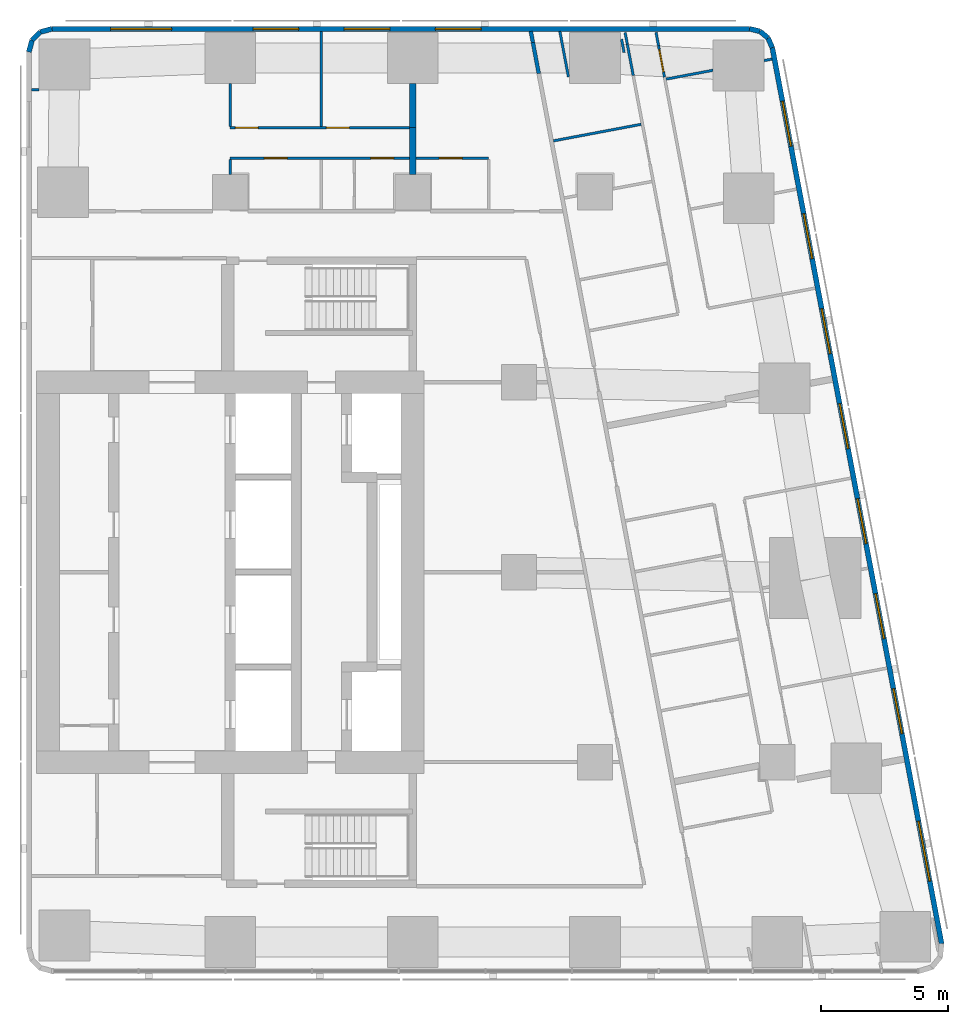
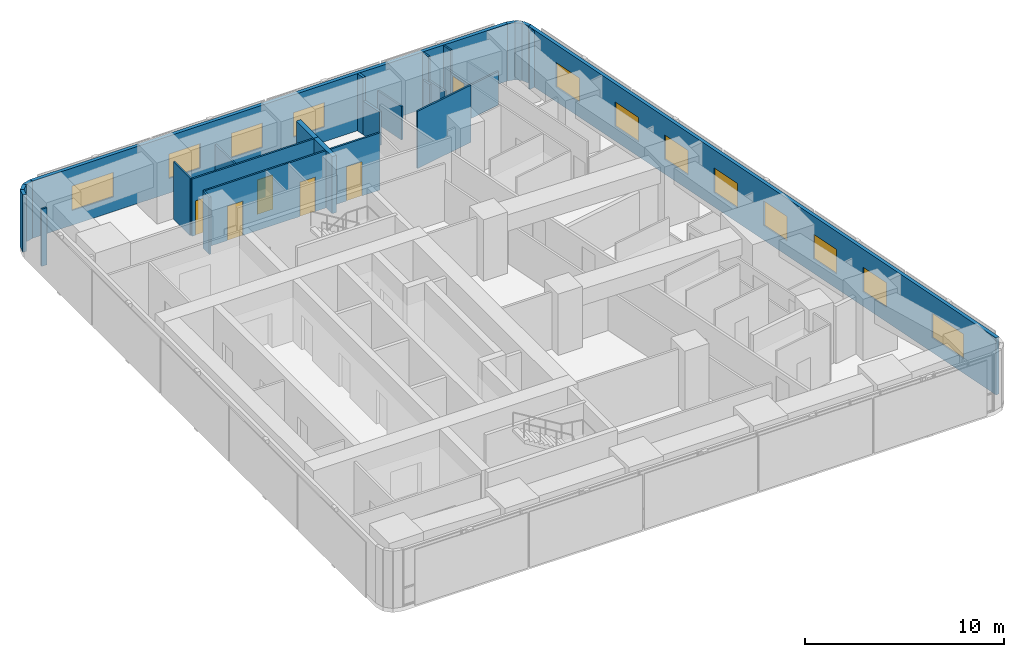
# One storey, part 8 of 11: 28 walls, 12 windows, 6 doors, 18 openings.
"""IFC4 building model written with IfcOpenShell, lengths in metres."""

from ifc_helpers import new_model, si_unit, direction, frame, frame_2d, origin, place, context, subcontext, project, spatial, rectangle, extrude, material, layer, layer_set, type_object, element, fill, save


model = new_model("IFC4")

# Units and contexts
model_context = context("Model", 3, precision=1e-05, world=origin(), true_north=direction((0.0, 1.0)))
body_context = subcontext(model_context, "Body", "Model", "MODEL_VIEW")
ifc_project = project(units=[si_unit("LENGTHUNIT", "METRE"), si_unit("AREAUNIT", "SQUARE_METRE"), si_unit("VOLUMEUNIT", "CUBIC_METRE"), si_unit("PLANEANGLEUNIT", "RADIAN"), si_unit("MASSUNIT", "GRAM", prefix="KILO")], contexts=[model_context])

# Site, building, storey
site_placement = place(None, origin())
site = spatial("IfcSite", under=ifc_project, at=site_placement, CompositionType="ELEMENT")
building_placement = place(site_placement, origin())
building = spatial("IfcBuilding", under=site, at=building_placement, Name="Sheger Commons Tower", CompositionType="ELEMENT")
storey_placement = place(building_placement, frame((0.0, 0.0, 274.10009765625)))
storey = spatial("IfcBuildingStorey", under=building, at=storey_placement, Name="L70", CompositionType="ELEMENT", Elevation=274.10009765625)

# Walls
ifc_material_1 = material(Name="Hollow concrete block masonry, skimmed both sides", Category="masonry")
ifc_layer_1 = layer(ifc_material_1, 0.14990234375)
ifc_layer_set_1 = layer_set([ifc_layer_1], Name="CORRIDOR WALL 150")
wall_type_1 = type_object("IfcWallType", Name="CORRIDOR WALL 150", PredefinedType="SOLIDWALL", material=ifc_layer_set_1)
wall_1_placement = place(storey_placement, frame((33.467041015625, 43.85009765625, 0.0), z_axis=(0.0, 0.0, 1.0), x_axis=(0.184886516626, -0.982759877066, 0.0)))
element("IfcWall", 1, at=wall_1_placement, inside=storey, type_object=wall_type_1, Name="Corridor wall L70", PredefinedType="SOLIDWALL", context=body_context, shape_type="SweptSolid", body=[
    extrude(rectangle(XDim=0.443603515625, YDim=0.14990234375, at=frame_2d((0.2216796875, 0.0))), origin(), (0.0, 0.0, 1.0), 3.5),
])
wall_2_placement = place(storey_placement, frame((33.549072265625, 43.4140625, 0.0), z_axis=(0.0, 0.0, 1.0), x_axis=(0.185585816539, -0.982628060204, 0.0)))
element("IfcWall", 2, at=wall_2_placement, inside=storey, type_object=wall_type_1, Name="Corridor wall L70", PredefinedType="SOLIDWALL", context=body_context, shape_type="SweptSolid", body=[
    extrude(rectangle(XDim=1.249755859375, YDim=0.14990234375, at=frame_2d((0.625, 0.0))), origin(), (0.0, 0.0, 1.0), 2.0498046875),
])
ifc_material_2 = material(Name="Dense concrete block masonry, plastered both sides (separating wall between flats)", Category="masonry")
ifc_layer_2 = layer(ifc_material_2, 0.25)
ifc_layer_set_2 = layer_set([ifc_layer_2], Name="DEMISING WALL 250")
wall_type_2 = type_object("IfcWallType", Name="DEMISING WALL 250", PredefinedType="SOLIDWALL", material=ifc_layer_set_2)
wall_3_placement = place(storey_placement, frame((28.800048828125, 40.050048828125, 0.0), z_axis=(0.0, 0.0, 1.0), x_axis=(0.0, 1.0, 0.0)))
element("IfcWall", 3, at=wall_3_placement, inside=storey, type_object=wall_type_2, Name="Demising wall L70", PredefinedType="SOLIDWALL", context=body_context, shape_type="SweptSolid", body=[
    extrude(rectangle(XDim=1.7490234375, YDim=0.25, at=frame_2d((0.87451171875, 0.0))), origin(), (0.0, 0.0, 1.0), 3.5),
])
wall_4_placement = place(storey_placement, frame((28.800048828125, 38.200927734375, 0.0), z_axis=(0.0, 0.0, 1.0), x_axis=(0.0, 1.0, 0.0)))
element("IfcWall", 4, at=wall_4_placement, inside=storey, type_object=wall_type_2, Name="Demising wall L70", PredefinedType="SOLIDWALL", context=body_context, shape_type="SweptSolid", body=[
    extrude(rectangle(XDim=1.84912109375, YDim=0.25, at=frame_2d((0.924560546875, 0.0))), origin(), (0.0, 0.0, 1.0), 3.5),
])

# Wall, openings, windows
ifc_material_3 = material(Name="Rendered concrete block masonry, dark grey", Category="masonry")
ifc_layer_3 = layer(ifc_material_3, 0.199951171875)
ifc_layer_set_3 = layer_set([ifc_layer_3], Name="FACADE WALL 200")
wall_type_3 = type_object("IfcWallType", Name="FACADE WALL 200", PredefinedType="SOLIDWALL", material=ifc_layer_set_3)
wall_5_placement = place(storey_placement, frame((49.68408203125, 7.83203125, 0.0), z_axis=(0.0, 0.0, 1.0), x_axis=(-0.185616669694, 0.982622232565, 0.0)))
wall_5 = element("IfcWall", 5, at=wall_5_placement, inside=storey, type_object=wall_type_3, Name="Facade wall L70", PredefinedType="SOLIDWALL", context=body_context, shape_type="SweptSolid", body=[
    extrude(rectangle(XDim=35.99951171875, YDim=0.199951171875, at=frame_2d((17.999755859375, 0.0))), origin(), (0.0, 0.0, 1.0), 3.5),
])
opening_1_placement = place(wall_5_placement, frame((2.51806640625, 0.0, 0.89990234375)))
opening_1 = element("IfcOpeningElement", 6, at=opening_1_placement, cuts=wall_5, Name="Opening W1", PredefinedType="OPENING", context=body_context, shape_type="SweptSolid", body=[
    extrude(rectangle(XDim=2.39990234375, YDim=1.5, at=frame_2d((1.199951171875, 0.75))), frame((0.0, 0.10986328125, 0.0), z_axis=(0.0, -1.0, 0.0), x_axis=(1.0, 0.0, 0.0)), (0.0, 0.0, 1.0), 0.219970703125),
])
opening_2_placement = place(wall_5_placement, frame((8.444091796875, 0.0, 0.89990234375)))
opening_2 = element("IfcOpeningElement", 7, at=opening_2_placement, cuts=wall_5, Name="Opening W2", PredefinedType="OPENING", context=body_context, shape_type="SweptSolid", body=[
    extrude(rectangle(XDim=1.800048828125, YDim=1.5, at=frame_2d((0.89990234375, 0.75))), frame((0.0, 0.10986328125, 0.0), z_axis=(0.0, -1.0, 0.0), x_axis=(1.0, 0.0, 0.0)), (0.0, 0.0, 1.0), 0.219970703125),
])
opening_3_placement = place(wall_5_placement, frame((12.260986328125, 0.0, 0.89990234375)))
opening_3 = element("IfcOpeningElement", 8, at=opening_3_placement, cuts=wall_5, Name="Opening W2", PredefinedType="OPENING", context=body_context, shape_type="SweptSolid", body=[
    extrude(rectangle(XDim=1.800048828125, YDim=1.5, at=frame_2d((0.89990234375, 0.75))), frame((0.0, 0.10986328125, 0.0), z_axis=(0.0, -1.0, 0.0), x_axis=(1.0, 0.0, 0.0)), (0.0, 0.0, 1.0), 0.219970703125),
])
opening_4_placement = place(wall_5_placement, frame((16.077880859375, 0.0, 0.89990234375)))
opening_4 = element("IfcOpeningElement", 9, at=opening_4_placement, cuts=wall_5, Name="Opening W2", PredefinedType="OPENING", context=body_context, shape_type="SweptSolid", body=[
    extrude(rectangle(XDim=1.800048828125, YDim=1.5, at=frame_2d((0.89990234375, 0.75))), frame((0.0, 0.10986328125, 0.0), z_axis=(0.0, -1.0, 0.0), x_axis=(1.0, 0.0, 0.0)), (0.0, 0.0, 1.0), 0.219970703125),
])
opening_5_placement = place(wall_5_placement, frame((19.89404296875, 0.0, 0.89990234375)))
opening_5 = element("IfcOpeningElement", 10, at=opening_5_placement, cuts=wall_5, Name="Opening W2", PredefinedType="OPENING", context=body_context, shape_type="SweptSolid", body=[
    extrude(rectangle(XDim=1.800048828125, YDim=1.5, at=frame_2d((0.89990234375, 0.75))), frame((0.0, 0.10986328125, 0.0), z_axis=(0.0, -1.0, 0.0), x_axis=(1.0, 0.0, 0.0)), (0.0, 0.0, 1.0), 0.219970703125),
])
opening_6_placement = place(wall_5_placement, frame((23.7099609375, 0.0, 0.89990234375)))
opening_6 = element("IfcOpeningElement", 11, at=opening_6_placement, cuts=wall_5, Name="Opening W2", PredefinedType="OPENING", context=body_context, shape_type="SweptSolid", body=[
    extrude(rectangle(XDim=1.800048828125, YDim=1.5, at=frame_2d((0.89990234375, 0.75))), frame((0.0, 0.10986328125, 0.0), z_axis=(0.0, -1.0, 0.0), x_axis=(1.0, 0.0, 0.0)), (0.0, 0.0, 1.0), 0.219970703125),
])
opening_7_placement = place(wall_5_placement, frame((27.52587890625, 0.0, 0.89990234375)))
opening_7 = element("IfcOpeningElement", 12, at=opening_7_placement, cuts=wall_5, Name="Opening W2", PredefinedType="OPENING", context=body_context, shape_type="SweptSolid", body=[
    extrude(rectangle(XDim=1.800048828125, YDim=1.5, at=frame_2d((0.89990234375, 0.75))), frame((0.0, 0.10986328125, 0.0), z_axis=(0.0, -1.0, 0.0), x_axis=(1.0, 0.0, 0.0)), (0.0, 0.0, 1.0), 0.219970703125),
])
opening_8_placement = place(wall_5_placement, frame((32.0458984375, 0.0, 0.89990234375)))
opening_8 = element("IfcOpeningElement", 13, at=opening_8_placement, cuts=wall_5, Name="Opening W2", PredefinedType="OPENING", context=body_context, shape_type="SweptSolid", body=[
    extrude(rectangle(XDim=1.800048828125, YDim=1.5, at=frame_2d((0.89990234375, 0.75))), frame((0.0, 0.10986328125, 0.0), z_axis=(0.0, -1.0, 0.0), x_axis=(1.0, 0.0, 0.0)), (0.0, 0.0, 1.0), 0.219970703125),
])
ifc_material_4 = material(Name="Black aluminium frame, dark tinted double glazing", Category="aluminium")
window_type_1 = type_object("IfcWindowType", Name="WINDOW W1 2400x1500", PartitioningType="SINGLE_PANEL", PredefinedType="WINDOW", material=ifc_material_4)
window_1_placement = place(opening_1_placement, origin())
window_1 = element("IfcWindow", 14, at=window_1_placement, inside=storey, type_object=window_type_1, Name="Window W1 2400X1500", OverallHeight=1.5, OverallWidth=2.39990234375, PartitioningType="SINGLE_PANEL", PredefinedType="WINDOW", context=body_context, shape_type="SweptSolid", body=[
    extrude(rectangle(XDim=2.39990234375, YDim=1.5, at=frame_2d((1.199951171875, 0.75))), frame((0.0, 0.030029296875, 0.0), z_axis=(0.0, -1.0, 0.0), x_axis=(1.0, 0.0, 0.0)), (0.0, 0.0, 1.0), 0.06005859375),
])
fill(opening_1, window_1)
ifc_material_5 = material(Name="Black aluminium frame, dark tinted double glazing", Category="aluminium")
window_type_2 = type_object("IfcWindowType", Name="WINDOW W2 1800x1500", PartitioningType="SINGLE_PANEL", PredefinedType="WINDOW", material=ifc_material_5)
window_2_placement = place(opening_2_placement, origin())
window_2 = element("IfcWindow", 15, at=window_2_placement, inside=storey, type_object=window_type_2, Name="Window W2 1800X1500", OverallHeight=1.5, OverallWidth=1.800048828125, PartitioningType="SINGLE_PANEL", PredefinedType="WINDOW", context=body_context, shape_type="SweptSolid", body=[
    extrude(rectangle(XDim=1.800048828125, YDim=1.5, at=frame_2d((0.89990234375, 0.75))), frame((0.0, 0.030029296875, 0.0), z_axis=(0.0, -1.0, 0.0), x_axis=(1.0, 0.0, 0.0)), (0.0, 0.0, 1.0), 0.06005859375),
])
fill(opening_2, window_2)
window_3_placement = place(opening_3_placement, origin())
window_3 = element("IfcWindow", 16, at=window_3_placement, inside=storey, type_object=window_type_2, Name="Window W2 1800X1500", OverallHeight=1.5, OverallWidth=1.800048828125, PartitioningType="SINGLE_PANEL", PredefinedType="WINDOW", context=body_context, shape_type="SweptSolid", body=[
    extrude(rectangle(XDim=1.800048828125, YDim=1.5, at=frame_2d((0.89990234375, 0.75))), frame((0.0, 0.030029296875, 0.0), z_axis=(0.0, -1.0, 0.0), x_axis=(1.0, 0.0, 0.0)), (0.0, 0.0, 1.0), 0.06005859375),
])
fill(opening_3, window_3)
window_4_placement = place(opening_4_placement, origin())
window_4 = element("IfcWindow", 17, at=window_4_placement, inside=storey, type_object=window_type_2, Name="Window W2 1800X1500", OverallHeight=1.5, OverallWidth=1.800048828125, PartitioningType="SINGLE_PANEL", PredefinedType="WINDOW", context=body_context, shape_type="SweptSolid", body=[
    extrude(rectangle(XDim=1.800048828125, YDim=1.5, at=frame_2d((0.89990234375, 0.75))), frame((0.0, 0.030029296875, 0.0), z_axis=(0.0, -1.0, 0.0), x_axis=(1.0, 0.0, 0.0)), (0.0, 0.0, 1.0), 0.06005859375),
])
fill(opening_4, window_4)
window_5_placement = place(opening_5_placement, origin())
window_5 = element("IfcWindow", 18, at=window_5_placement, inside=storey, type_object=window_type_2, Name="Window W2 1800X1500", OverallHeight=1.5, OverallWidth=1.800048828125, PartitioningType="SINGLE_PANEL", PredefinedType="WINDOW", context=body_context, shape_type="SweptSolid", body=[
    extrude(rectangle(XDim=1.800048828125, YDim=1.5, at=frame_2d((0.89990234375, 0.75))), frame((0.0, 0.030029296875, 0.0), z_axis=(0.0, -1.0, 0.0), x_axis=(1.0, 0.0, 0.0)), (0.0, 0.0, 1.0), 0.06005859375),
])
fill(opening_5, window_5)
window_6_placement = place(opening_6_placement, origin())
window_6 = element("IfcWindow", 19, at=window_6_placement, inside=storey, type_object=window_type_2, Name="Window W2 1800X1500", OverallHeight=1.5, OverallWidth=1.800048828125, PartitioningType="SINGLE_PANEL", PredefinedType="WINDOW", context=body_context, shape_type="SweptSolid", body=[
    extrude(rectangle(XDim=1.800048828125, YDim=1.5, at=frame_2d((0.89990234375, 0.75))), frame((0.0, 0.030029296875, 0.0), z_axis=(0.0, -1.0, 0.0), x_axis=(1.0, 0.0, 0.0)), (0.0, 0.0, 1.0), 0.06005859375),
])
fill(opening_6, window_6)
window_7_placement = place(opening_7_placement, origin())
window_7 = element("IfcWindow", 20, at=window_7_placement, inside=storey, type_object=window_type_2, Name="Window W2 1800X1500", OverallHeight=1.5, OverallWidth=1.800048828125, PartitioningType="SINGLE_PANEL", PredefinedType="WINDOW", context=body_context, shape_type="SweptSolid", body=[
    extrude(rectangle(XDim=1.800048828125, YDim=1.5, at=frame_2d((0.89990234375, 0.75))), frame((0.0, 0.030029296875, 0.0), z_axis=(0.0, -1.0, 0.0), x_axis=(1.0, 0.0, 0.0)), (0.0, 0.0, 1.0), 0.06005859375),
])
fill(opening_7, window_7)
window_8_placement = place(opening_8_placement, origin())
window_8 = element("IfcWindow", 21, at=window_8_placement, inside=storey, type_object=window_type_2, Name="Window W2 1800X1500", OverallHeight=1.5, OverallWidth=1.800048828125, PartitioningType="SINGLE_PANEL", PredefinedType="WINDOW", context=body_context, shape_type="SweptSolid", body=[
    extrude(rectangle(XDim=1.800048828125, YDim=1.5, at=frame_2d((0.89990234375, 0.75))), frame((0.0, 0.030029296875, 0.0), z_axis=(0.0, -1.0, 0.0), x_axis=(1.0, 0.0, 0.0)), (0.0, 0.0, 1.0), 0.06005859375),
])
fill(opening_8, window_8)

# Walls
wall_6_placement = place(storey_placement, frame((43.001953125, 43.2060546875, 0.0), z_axis=(0.0, 0.0, 1.0), x_axis=(-0.40678170573, 0.913525393124, 0.0)))
element("IfcWall", 22, at=wall_6_placement, inside=storey, type_object=wall_type_3, Name="Facade wall L70", PredefinedType="SOLIDWALL", context=body_context, shape_type="SweptSolid", body=[
    extrude(rectangle(XDim=0.422607421875, YDim=0.199951171875, at=frame_2d((0.21142578125, 0.0))), origin(), (0.0, 0.0, 1.0), 3.5),
])
wall_7_placement = place(storey_placement, frame((42.830078125, 43.592041015625, 0.0), z_axis=(0.0, 0.0, 1.0), x_axis=(-0.771190539797, 0.636604391539, 0.0)))
element("IfcWall", 23, at=wall_7_placement, inside=storey, type_object=wall_type_3, Name="Facade wall L70", PredefinedType="SOLIDWALL", context=body_context, shape_type="SweptSolid", body=[
    extrude(rectangle(XDim=0.409912109375, YDim=0.199951171875, at=frame_2d((0.205078125, 0.0))), origin(), (0.0, 0.0, 1.0), 3.5),
])
wall_8_placement = place(storey_placement, frame((42.513916015625, 43.85302734375, 0.0), z_axis=(0.0, 0.0, 1.0), x_axis=(-0.973288080424, 0.229587265555, 0.0)))
element("IfcWall", 24, at=wall_8_placement, inside=storey, type_object=wall_type_3, Name="Facade wall L70", PredefinedType="SOLIDWALL", context=body_context, shape_type="SweptSolid", body=[
    extrude(rectangle(XDim=0.422119140625, YDim=0.199951171875, at=frame_2d((0.2109375, 0.0))), origin(), (0.0, 0.0, 1.0), 3.5),
])

# Wall, openings, windows
wall_9_placement = place(storey_placement, frame((42.10302734375, 43.949951171875, 0.0), z_axis=(0.0, 0.0, 1.0), x_axis=(-1.0, 0.0, 0.0)))
wall_9 = element("IfcWall", 25, at=wall_9_placement, inside=storey, type_object=wall_type_3, Name="Facade wall L70", PredefinedType="SOLIDWALL", context=body_context, shape_type="SweptSolid", body=[
    extrude(rectangle(XDim=27.5400390625, YDim=0.199951171875, at=frame_2d((13.77001953125, 0.0))), origin(), (0.0, 0.0, 1.0), 3.5),
])
opening_9_placement = place(wall_9_placement, frame((10.60302734375, 0.0, 0.89990234375)))
opening_9 = element("IfcOpeningElement", 26, at=opening_9_placement, cuts=wall_9, Name="Opening W2", PredefinedType="OPENING", context=body_context, shape_type="SweptSolid", body=[
    extrude(rectangle(XDim=1.800048828125, YDim=1.5, at=frame_2d((0.89990234375, 0.75))), frame((0.0, 0.10986328125, 0.0), z_axis=(0.0, -1.0, 0.0), x_axis=(1.0, 0.0, 0.0)), (0.0, 0.0, 1.0), 0.219970703125),
])
opening_10_placement = place(wall_9_placement, frame((14.202880859375, 0.0, 0.89990234375)))
opening_10 = element("IfcOpeningElement", 27, at=opening_10_placement, cuts=wall_9, Name="Opening W2", PredefinedType="OPENING", context=body_context, shape_type="SweptSolid", body=[
    extrude(rectangle(XDim=1.800048828125, YDim=1.5, at=frame_2d((0.89990234375, 0.75))), frame((0.0, 0.10986328125, 0.0), z_axis=(0.0, -1.0, 0.0), x_axis=(1.0, 0.0, 0.0)), (0.0, 0.0, 1.0), 0.219970703125),
])
opening_11_placement = place(wall_9_placement, frame((17.802978515625, 0.0, 0.89990234375)))
opening_11 = element("IfcOpeningElement", 28, at=opening_11_placement, cuts=wall_9, Name="Opening W2", PredefinedType="OPENING", context=body_context, shape_type="SweptSolid", body=[
    extrude(rectangle(XDim=1.800048828125, YDim=1.5, at=frame_2d((0.89990234375, 0.75))), frame((0.0, 0.10986328125, 0.0), z_axis=(0.0, -1.0, 0.0), x_axis=(1.0, 0.0, 0.0)), (0.0, 0.0, 1.0), 0.219970703125),
])
opening_12_placement = place(wall_9_placement, frame((22.822021484375, 0.0, 0.89990234375)))
opening_12 = element("IfcOpeningElement", 29, at=opening_12_placement, cuts=wall_9, Name="Opening W1", PredefinedType="OPENING", context=body_context, shape_type="SweptSolid", body=[
    extrude(rectangle(XDim=2.39990234375, YDim=1.5, at=frame_2d((1.199951171875, 0.75))), frame((0.0, 0.10986328125, 0.0), z_axis=(0.0, -1.0, 0.0), x_axis=(1.0, 0.0, 0.0)), (0.0, 0.0, 1.0), 0.219970703125),
])
window_9_placement = place(opening_12_placement, origin())
window_9 = element("IfcWindow", 30, at=window_9_placement, inside=storey, type_object=window_type_1, Name="Window W1 2400X1500", OverallHeight=1.5, OverallWidth=2.39990234375, PartitioningType="SINGLE_PANEL", PredefinedType="WINDOW", context=body_context, shape_type="SweptSolid", body=[
    extrude(rectangle(XDim=2.39990234375, YDim=1.5, at=frame_2d((1.199951171875, 0.75))), frame((0.0, 0.030029296875, 0.0), z_axis=(0.0, -1.0, 0.0), x_axis=(1.0, 0.0, 0.0)), (0.0, 0.0, 1.0), 0.06005859375),
])
fill(opening_12, window_9)
window_10_placement = place(opening_9_placement, origin())
window_10 = element("IfcWindow", 31, at=window_10_placement, inside=storey, type_object=window_type_2, Name="Window W2 1800X1500", OverallHeight=1.5, OverallWidth=1.800048828125, PartitioningType="SINGLE_PANEL", PredefinedType="WINDOW", context=body_context, shape_type="SweptSolid", body=[
    extrude(rectangle(XDim=1.800048828125, YDim=1.5, at=frame_2d((0.89990234375, 0.75))), frame((0.0, 0.030029296875, 0.0), z_axis=(0.0, -1.0, 0.0), x_axis=(1.0, 0.0, 0.0)), (0.0, 0.0, 1.0), 0.06005859375),
])
fill(opening_9, window_10)
window_11_placement = place(opening_10_placement, origin())
window_11 = element("IfcWindow", 32, at=window_11_placement, inside=storey, type_object=window_type_2, Name="Window W2 1800X1500", OverallHeight=1.5, OverallWidth=1.800048828125, PartitioningType="SINGLE_PANEL", PredefinedType="WINDOW", context=body_context, shape_type="SweptSolid", body=[
    extrude(rectangle(XDim=1.800048828125, YDim=1.5, at=frame_2d((0.89990234375, 0.75))), frame((0.0, 0.030029296875, 0.0), z_axis=(0.0, -1.0, 0.0), x_axis=(1.0, 0.0, 0.0)), (0.0, 0.0, 1.0), 0.06005859375),
])
fill(opening_10, window_11)
window_12_placement = place(opening_11_placement, origin())
window_12 = element("IfcWindow", 33, at=window_12_placement, inside=storey, type_object=window_type_2, Name="Window W2 1800X1500", OverallHeight=1.5, OverallWidth=1.800048828125, PartitioningType="SINGLE_PANEL", PredefinedType="WINDOW", context=body_context, shape_type="SweptSolid", body=[
    extrude(rectangle(XDim=1.800048828125, YDim=1.5, at=frame_2d((0.89990234375, 0.75))), frame((0.0, 0.030029296875, 0.0), z_axis=(0.0, -1.0, 0.0), x_axis=(1.0, 0.0, 0.0)), (0.0, 0.0, 1.0), 0.06005859375),
])
fill(opening_11, window_12)

# Walls
wall_10_placement = place(storey_placement, frame((14.56298828125, 43.949951171875, 0.0), z_axis=(0.0, 0.0, 1.0), x_axis=(-0.965655254015, -0.259826731483, 0.0)))
element("IfcWall", 34, at=wall_10_placement, inside=storey, type_object=wall_type_3, Name="Facade wall L70", PredefinedType="SOLIDWALL", context=body_context, shape_type="SweptSolid", body=[
    extrude(rectangle(XDim=0.477294921875, YDim=0.199951171875, at=frame_2d((0.23876953125, 0.0))), origin(), (0.0, 0.0, 1.0), 3.5),
])
wall_11_placement = place(storey_placement, frame((14.10205078125, 43.825927734375, 0.0), z_axis=(0.0, 0.0, 1.0), x_axis=(-0.707369890659, -0.706843573776, 0.0)))
element("IfcWall", 35, at=wall_11_placement, inside=storey, type_object=wall_type_3, Name="Facade wall L70", PredefinedType="SOLIDWALL", context=body_context, shape_type="SweptSolid", body=[
    extrude(rectangle(XDim=0.4638671875, YDim=0.199951171875, at=frame_2d((0.23193359375, 0.0))), origin(), (0.0, 0.0, 1.0), 3.5),
])
wall_12_placement = place(storey_placement, frame((13.77392578125, 43.498046875, 0.0), z_axis=(0.0, 0.0, 1.0), x_axis=(-0.259826731483, -0.965655254015, 0.0)))
element("IfcWall", 36, at=wall_12_placement, inside=storey, type_object=wall_type_3, Name="Facade wall L70", PredefinedType="SOLIDWALL", context=body_context, shape_type="SweptSolid", body=[
    extrude(rectangle(XDim=0.477294921875, YDim=0.199951171875, at=frame_2d((0.23876953125, 0.0))), origin(), (0.0, 0.0, 1.0), 3.5),
])
ifc_material_6 = material(Name="Gypsum board on steel studs", Category="steel")
ifc_layer_4 = layer(ifc_material_6, 0.10009765625)
ifc_layer_set_4 = layer_set([ifc_layer_4], Name="PARTITION 100")
wall_type_4 = type_object("IfcWallType", Name="PARTITION 100", PredefinedType="PARTITIONING", material=ifc_layer_set_4)
wall_13_placement = place(storey_placement, frame((34.951904296875, 42.054931640625, 0.0), z_axis=(0.0, 0.0, 1.0), x_axis=(-0.185490642006, 0.98264603074, 0.0)))
element("IfcWall", 37, at=wall_13_placement, inside=storey, type_object=wall_type_4, Name="Partition L70", PredefinedType="PARTITIONING", context=body_context, shape_type="SweptSolid", body=[
    extrude(rectangle(XDim=1.826904296875, YDim=0.10009765625, at=frame_2d((0.91357421875, 0.0))), origin(), (0.0, 0.0, 1.0), 2.0498046875),
])
wall_14_placement = place(storey_placement, frame((37.049072265625, 43.5390625, 0.0), z_axis=(0.0, 0.0, 1.0), x_axis=(0.186119495745, -0.982527115811, 0.0)))
element("IfcWall", 38, at=wall_14_placement, inside=storey, type_object=wall_type_4, Name="Partition L70", PredefinedType="PARTITIONING", context=body_context, shape_type="SweptSolid", body=[
    extrude(rectangle(XDim=0.53125, YDim=0.10009765625, at=frame_2d((0.265625, 0.0))), origin(), (0.0, 0.0, 1.0), 2.0498046875),
])
wall_15_placement = place(storey_placement, frame((38.409912109375, 43.81103515625, 0.0), z_axis=(0.0, 0.0, 1.0), x_axis=(0.185903499302, -0.982568007289, 0.0)))
element("IfcWall", 39, at=wall_15_placement, inside=storey, type_object=wall_type_4, Name="Partition L70", PredefinedType="PARTITIONING", context=body_context, shape_type="SweptSolid", body=[
    extrude(rectangle(XDim=0.538330078125, YDim=0.10009765625, at=frame_2d((0.26904296875, 0.0))), origin(), (0.0, 0.0, 1.0), 3.5),
])

# Wall, opening, door
wall_16_placement = place(storey_placement, frame((38.510009765625, 43.281982421875, 0.0), z_axis=(0.0, 0.0, 1.0), x_axis=(0.185775287495, -0.982592256511, 0.0)))
wall_16 = element("IfcWall", 40, at=wall_16_placement, inside=storey, type_object=wall_type_4, Name="Partition L70", PredefinedType="PARTITIONING", context=body_context, shape_type="SweptSolid", body=[
    extrude(rectangle(XDim=1.259033203125, YDim=0.10009765625, at=frame_2d((0.62939453125, 0.0))), origin(), (0.0, 0.0, 1.0), 2.0498046875),
])
opening_13_placement = place(wall_16_placement, frame((0.14990234375, 0.0, 0.0)))
opening_13 = element("IfcOpeningElement", 41, at=opening_13_placement, cuts=wall_16, Name="Opening D11", PredefinedType="OPENING", context=body_context, shape_type="SweptSolid", body=[
    extrude(rectangle(XDim=0.89990234375, YDim=2.0, at=frame_2d((0.449951171875, 1.0))), frame((0.0, 0.06005859375, 0.0), z_axis=(0.0, -1.0, 0.0), x_axis=(1.0, 0.0, 0.0)), (0.0, 0.0, 1.0), 0.1201171875),
])
ifc_material_7 = material(Name="Timber door set", Category="wood")
door_type_1 = type_object("IfcDoorType", Name="INTERNAL DOOR 900x2000", OperationType="NOTDEFINED", PredefinedType="DOOR", material=ifc_material_7)
door_1_placement = place(opening_13_placement, origin())
door_1 = element("IfcDoor", 42, at=door_1_placement, inside=storey, type_object=door_type_1, Name="Dressing room door", OperationType="SINGLE_SWING_LEFT", OverallHeight=2.0, OverallWidth=0.89990234375, PredefinedType="DOOR", context=body_context, shape_type="SweptSolid", body=[
    extrude(rectangle(XDim=0.89990234375, YDim=2.0, at=frame_2d((0.449951171875, 1.0))), frame((0.0, 0.02490234375, 0.0), z_axis=(0.0, -1.0, 0.0), x_axis=(1.0, 0.0, 0.0)), (0.0, 0.0, 1.0), 0.050048828125),
])
fill(opening_13, door_1)

# Walls
wall_17_placement = place(storey_placement, frame((37.18994140625, 43.802978515625, 0.0), z_axis=(0.0, 0.0, 1.0), x_axis=(0.18479566844, -0.982776963978, 0.0)))
element("IfcWall", 43, at=wall_17_placement, inside=storey, type_object=wall_type_4, Name="Partition L70", PredefinedType="PARTITIONING", context=body_context, shape_type="SweptSolid", body=[
    extrude(rectangle(XDim=0.465087890625, YDim=0.10009765625, at=frame_2d((0.232421875, 0.0))), origin(), (0.0, 0.0, 1.0), 3.5),
])
wall_18_placement = place(storey_placement, frame((37.27587890625, 43.345947265625, 0.0), z_axis=(0.0, 0.0, 1.0), x_axis=(0.185962504646, -0.982556841544, 0.0)))
element("IfcWall", 44, at=wall_18_placement, inside=storey, type_object=wall_type_4, Name="Partition L70", PredefinedType="PARTITIONING", context=body_context, shape_type="SweptSolid", body=[
    extrude(rectangle(XDim=1.259033203125, YDim=0.10009765625, at=frame_2d((0.62939453125, 0.0))), origin(), (0.0, 0.0, 1.0), 2.0498046875),
])
wall_19_placement = place(storey_placement, frame((42.985107421875, 42.7548828125, 0.0), z_axis=(0.0, 0.0, 1.0), x_axis=(-0.98281924824, -0.184570651215, 0.0)))
element("IfcWall", 45, at=wall_19_placement, inside=storey, type_object=wall_type_4, Name="Partition L70", PredefinedType="PARTITIONING", context=body_context, shape_type="SweptSolid", body=[
    extrude(rectangle(XDim=0.3134765625, YDim=0.10009765625, at=frame_2d((0.15673828125, 0.0))), origin(), (0.0, 0.0, 1.0), 3.5),
])
wall_20_placement = place(storey_placement, frame((40.656982421875, 42.31494140625, 0.0), z_axis=(0.0, 0.0, 1.0), x_axis=(-0.982640672055, -0.185519027661, 0.0)))
element("IfcWall", 46, at=wall_20_placement, inside=storey, type_object=wall_type_4, Name="Partition L70", PredefinedType="PARTITIONING", context=body_context, shape_type="SweptSolid", body=[
    extrude(rectangle(XDim=1.880615234375, YDim=0.10009765625, at=frame_2d((0.9404296875, 0.0))), origin(), (0.0, 0.0, 1.0), 2.0498046875),
])
wall_21_placement = place(storey_placement, frame((37.822998046875, 40.181884765625, 0.0), z_axis=(0.0, 0.0, 1.0), x_axis=(-0.98263926043, -0.185526504472, 0.0)))
element("IfcWall", 47, at=wall_21_placement, inside=storey, type_object=wall_type_4, Name="Partition L70", PredefinedType="PARTITIONING", context=body_context, shape_type="SweptSolid", body=[
    extrude(rectangle(XDim=3.524169921875, YDim=0.10009765625, at=frame_2d((1.76220703125, 0.0))), origin(), (0.0, 0.0, 1.0), 3.5),
])
wall_22_placement = place(storey_placement, frame((14.053955078125, 41.5458984375, 0.0), z_axis=(0.0, 0.0, 1.0), x_axis=(-1.0, 0.0, 0.0)))
element("IfcWall", 48, at=wall_22_placement, inside=storey, type_object=wall_type_4, Name="Partition L70", PredefinedType="PARTITIONING", context=body_context, shape_type="SweptSolid", body=[
    extrude(rectangle(XDim=0.303955078125, YDim=0.10009765625, at=frame_2d((0.15185546875, 0.0))), origin(), (0.0, 0.0, 1.0), 3.5),
])

# Wall, openings, doors
wall_23_placement = place(storey_placement, frame((21.60009765625, 40.050048828125, 0.0), z_axis=(0.0, 0.0, 1.0), x_axis=(1.0, 0.0, 0.0)))
wall_23 = element("IfcWall", 49, at=wall_23_placement, inside=storey, type_object=wall_type_4, Name="Partition L70", PredefinedType="PARTITIONING", context=body_context, shape_type="SweptSolid", body=[
    extrude(rectangle(XDim=7.074951171875, YDim=0.10009765625, at=frame_2d((3.53759765625, 0.0))), origin(), (0.0, 0.0, 1.0), 3.5),
])
opening_14_placement = place(wall_23_placement, frame((0.199951171875, 0.0, 0.0)))
opening_14 = element("IfcOpeningElement", 50, at=opening_14_placement, cuts=wall_23, Name="Opening D2", PredefinedType="OPENING", context=body_context, shape_type="SweptSolid", body=[
    extrude(rectangle(XDim=0.89990234375, YDim=2.10009765625, at=frame_2d((0.449951171875, 1.050048828125))), frame((0.0, 0.06005859375, 0.0), z_axis=(0.0, -1.0, 0.0), x_axis=(1.0, 0.0, 0.0)), (0.0, 0.0, 1.0), 0.1201171875),
])
opening_15_placement = place(wall_23_placement, frame((3.800048828125, 0.0, 0.0)))
opening_15 = element("IfcOpeningElement", 51, at=opening_15_placement, cuts=wall_23, Name="Opening D2", PredefinedType="OPENING", context=body_context, shape_type="SweptSolid", body=[
    extrude(rectangle(XDim=0.89990234375, YDim=2.10009765625, at=frame_2d((0.449951171875, 1.050048828125))), frame((0.0, 0.06005859375, 0.0), z_axis=(0.0, -1.0, 0.0), x_axis=(1.0, 0.0, 0.0)), (0.0, 0.0, 1.0), 0.1201171875),
])
ifc_material_8 = material(Name="Timber door set", Category="wood")
door_type_2 = type_object("IfcDoorType", Name="INTERNAL DOOR 900x2100", OperationType="NOTDEFINED", PredefinedType="DOOR", material=ifc_material_8)
door_2_placement = place(opening_14_placement, origin())
door_2 = element("IfcDoor", 52, at=door_2_placement, inside=storey, type_object=door_type_2, Name="Main bedroom door", OperationType="SINGLE_SWING_LEFT", OverallHeight=2.10009765625, OverallWidth=0.89990234375, PredefinedType="DOOR", context=body_context, shape_type="SweptSolid", body=[
    extrude(rectangle(XDim=0.89990234375, YDim=2.10009765625, at=frame_2d((0.449951171875, 1.050048828125))), frame((0.0, 0.02490234375, 0.0), z_axis=(0.0, -1.0, 0.0), x_axis=(1.0, 0.0, 0.0)), (0.0, 0.0, 1.0), 0.050048828125),
])
fill(opening_14, door_2)
door_3_placement = place(opening_15_placement, origin())
door_3 = element("IfcDoor", 53, at=door_3_placement, inside=storey, type_object=door_type_2, Name="Bedroom 2 door", OperationType="SINGLE_SWING_LEFT", OverallHeight=2.10009765625, OverallWidth=0.89990234375, PredefinedType="DOOR", context=body_context, shape_type="SweptSolid", body=[
    extrude(rectangle(XDim=0.89990234375, YDim=2.10009765625, at=frame_2d((0.449951171875, 1.050048828125))), frame((0.0, 0.02490234375, 0.0), z_axis=(0.0, -1.0, 0.0), x_axis=(1.0, 0.0, 0.0)), (0.0, 0.0, 1.0), 0.050048828125),
])
fill(opening_15, door_3)

wall_24_placement = place(storey_placement, frame((21.60009765625, 38.85009765625, 0.0), z_axis=(0.0, 0.0, 1.0), x_axis=(1.0, 0.0, 0.0)))
wall_24 = element("IfcWall", 54, at=wall_24_placement, inside=storey, type_object=wall_type_4, Name="Partition L70", PredefinedType="PARTITIONING", context=body_context, shape_type="SweptSolid", body=[
    extrude(rectangle(XDim=7.074951171875, YDim=0.10009765625, at=frame_2d((3.53759765625, 0.0))), origin(), (0.0, 0.0, 1.0), 3.5),
])
opening_16_placement = place(wall_24_placement, frame((1.35009765625, 0.0, 0.0)))
opening_16 = element("IfcOpeningElement", 55, at=opening_16_placement, cuts=wall_24, Name="Opening D2", PredefinedType="OPENING", context=body_context, shape_type="SweptSolid", body=[
    extrude(rectangle(XDim=0.89990234375, YDim=2.10009765625, at=frame_2d((0.449951171875, 1.050048828125))), frame((0.0, 0.06005859375, 0.0), z_axis=(0.0, -1.0, 0.0), x_axis=(1.0, 0.0, 0.0)), (0.0, 0.0, 1.0), 0.1201171875),
])
opening_17_placement = place(wall_24_placement, frame((5.550048828125, 0.0, 0.0)))
opening_17 = element("IfcOpeningElement", 56, at=opening_17_placement, cuts=wall_24, Name="Opening D2", PredefinedType="OPENING", context=body_context, shape_type="SweptSolid", body=[
    extrude(rectangle(XDim=0.89990234375, YDim=2.10009765625, at=frame_2d((0.449951171875, 1.050048828125))), frame((0.0, 0.06005859375, 0.0), z_axis=(0.0, -1.0, 0.0), x_axis=(1.0, 0.0, 0.0)), (0.0, 0.0, 1.0), 0.1201171875),
])
door_4_placement = place(opening_16_placement, origin())
door_4 = element("IfcDoor", 57, at=door_4_placement, inside=storey, type_object=door_type_2, Name="Bathroom door", OperationType="SINGLE_SWING_RIGHT", OverallHeight=2.10009765625, OverallWidth=0.89990234375, PredefinedType="DOOR", context=body_context, shape_type="SweptSolid", body=[
    extrude(rectangle(XDim=0.89990234375, YDim=2.10009765625, at=frame_2d((0.449951171875, 1.050048828125))), frame((0.0, 0.02490234375, 0.0), z_axis=(0.0, -1.0, 0.0), x_axis=(1.0, 0.0, 0.0)), (0.0, 0.0, 1.0), 0.050048828125),
])
fill(opening_16, door_4)
door_5_placement = place(opening_17_placement, origin())
door_5 = element("IfcDoor", 58, at=door_5_placement, inside=storey, type_object=door_type_2, Name="Shower room door", OperationType="SINGLE_SWING_LEFT", OverallHeight=2.10009765625, OverallWidth=0.89990234375, PredefinedType="DOOR", context=body_context, shape_type="SweptSolid", body=[
    extrude(rectangle(XDim=0.89990234375, YDim=2.10009765625, at=frame_2d((0.449951171875, 1.050048828125))), frame((0.0, 0.02490234375, 0.0), z_axis=(0.0, -1.0, 0.0), x_axis=(1.0, 0.0, 0.0)), (0.0, 0.0, 1.0), 0.050048828125),
])
fill(opening_17, door_5)

# Walls
wall_25_placement = place(storey_placement, frame((21.60009765625, 40.10009765625, 0.0), z_axis=(0.0, 0.0, 1.0), x_axis=(0.0, 1.0, 0.0)))
element("IfcWall", 59, at=wall_25_placement, inside=storey, type_object=wall_type_4, Name="Partition L70", PredefinedType="PARTITIONING", context=body_context, shape_type="SweptSolid", body=[
    extrude(rectangle(XDim=1.698974609375, YDim=0.10009765625, at=frame_2d((0.849609375, 0.0))), origin(), (0.0, 0.0, 1.0), 3.5),
])
wall_26_placement = place(storey_placement, frame((25.199951171875, 40.10009765625, 0.0), z_axis=(0.0, 0.0, 1.0), x_axis=(0.0, 1.0, 0.0)))
element("IfcWall", 60, at=wall_26_placement, inside=storey, type_object=wall_type_4, Name="Partition L70", PredefinedType="PARTITIONING", context=body_context, shape_type="SweptSolid", body=[
    extrude(rectangle(XDim=3.75, YDim=0.10009765625, at=frame_2d((1.875, 0.0))), origin(), (0.0, 0.0, 1.0), 2.0498046875),
])
wall_27_placement = place(storey_placement, frame((21.60009765625, 38.200927734375, 0.0), z_axis=(0.0, 0.0, 1.0), x_axis=(0.0, 1.0, 0.0)))
element("IfcWall", 61, at=wall_27_placement, inside=storey, type_object=wall_type_4, Name="Partition L70", PredefinedType="PARTITIONING", context=body_context, shape_type="SweptSolid", body=[
    extrude(rectangle(XDim=0.59912109375, YDim=0.10009765625, at=frame_2d((0.299560546875, 0.0))), origin(), (0.0, 0.0, 1.0), 3.5),
])

# Wall, opening, door
wall_28_placement = place(storey_placement, frame((28.925048828125, 38.85009765625, 0.0), z_axis=(0.0, 0.0, 1.0), x_axis=(1.0, 0.0, 0.0)))
wall_28 = element("IfcWall", 62, at=wall_28_placement, inside=storey, type_object=wall_type_4, Name="Partition L70", PredefinedType="PARTITIONING", context=body_context, shape_type="SweptSolid", body=[
    extrude(rectangle(XDim=2.87890625, YDim=0.10009765625, at=frame_2d((1.439453125, 0.0))), origin(), (0.0, 0.0, 1.0), 3.5),
])
opening_18_placement = place(wall_28_placement, frame((0.925048828125, 0.0, 0.0)))
opening_18 = element("IfcOpeningElement", 63, at=opening_18_placement, cuts=wall_28, Name="Opening D2", PredefinedType="OPENING", context=body_context, shape_type="SweptSolid", body=[
    extrude(rectangle(XDim=0.89990234375, YDim=2.10009765625, at=frame_2d((0.449951171875, 1.050048828125))), frame((0.0, 0.06005859375, 0.0), z_axis=(0.0, -1.0, 0.0), x_axis=(1.0, 0.0, 0.0)), (0.0, 0.0, 1.0), 0.1201171875),
])
door_6_placement = place(opening_18_placement, origin())
door_6 = element("IfcDoor", 64, at=door_6_placement, inside=storey, type_object=door_type_2, Name="Shower room door", OperationType="SINGLE_SWING_RIGHT", OverallHeight=2.10009765625, OverallWidth=0.89990234375, PredefinedType="DOOR", context=body_context, shape_type="SweptSolid", body=[
    extrude(rectangle(XDim=0.89990234375, YDim=2.10009765625, at=frame_2d((0.449951171875, 1.050048828125))), frame((0.0, 0.02490234375, 0.0), z_axis=(0.0, -1.0, 0.0), x_axis=(1.0, 0.0, 0.0)), (0.0, 0.0, 1.0), 0.050048828125),
])
fill(opening_18, door_6)

save(model, "model.ifc")
